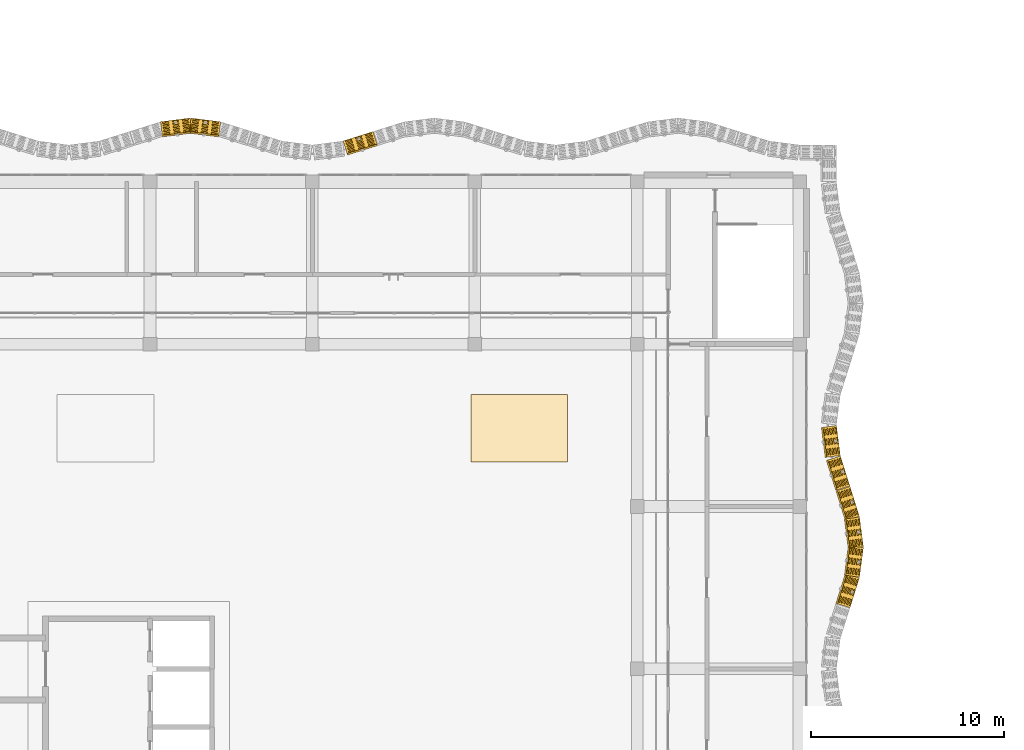
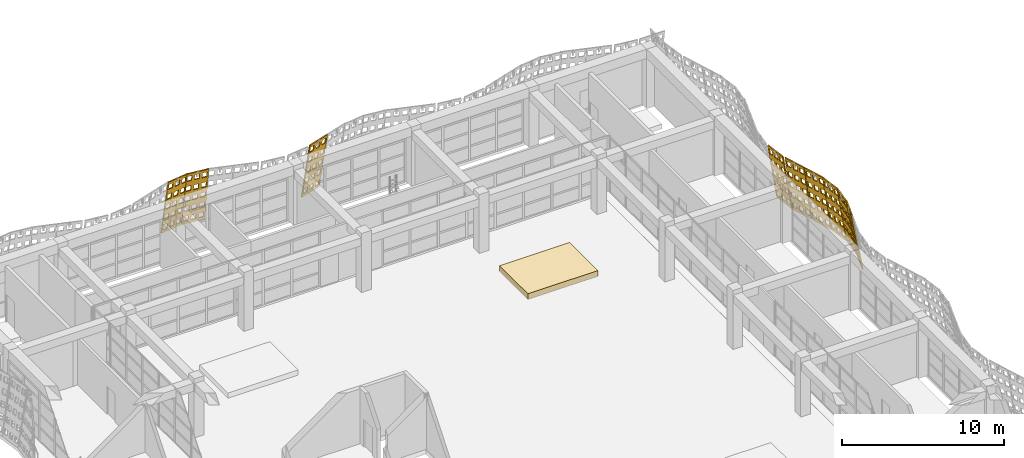
# One storey, part 82 of 85: 10 coverings.
"""IFC4 building model written with IfcOpenShell, lengths in metres."""

import ifcopenshell
import ifcopenshell.guid

model = None  # the IFC model being written
_history = None  # IfcOwnerHistory: only IFC2X3 demands one
_inside = {}  # id of a spatial element -> (the spatial element, [elements in it])
_under = {}  # id of a project, library or spatial element -> (it, [spatial elements below it])
_declared = {}  # id of a project -> (the project, [libraries it declares])
_typed = {}  # id of a type object -> (the type object, [elements of that type])
_made_of = {}  # id of a material, layer set ... -> (it, [elements and type objects made of it])


def new_model(schema):
    """Start an empty IFC model of exactly this schema.

    Asked for "IFC4X3", IfcOpenShell would pick the latest addendum, in which some entities
    have other attributes; the version numbers below select the first issue.
    IFC2X3 requires an IfcOwnerHistory on every rooted entity: one is made here for all.
    """
    global model, _history
    if schema == "IFC4X3":
        model = ifcopenshell.file(schema_version=(4, 3, 0, 0))
    else:
        model = ifcopenshell.file(schema=schema)
    _inside.clear()
    _under.clear()
    _declared.clear()
    _typed.clear()
    _made_of.clear()
    _history = None
    if model.schema == "IFC2X3":
        org = make("IfcOrganization", Name="unknown")
        user = make(
            "IfcPersonAndOrganization",
            ThePerson=make("IfcPerson", FamilyName="unknown"),
            TheOrganization=org,
        )
        app = make(
            "IfcApplication",
            ApplicationDeveloper=org,
            Version="unknown",
            ApplicationFullName="unknown",
            ApplicationIdentifier="unknown",
        )
        _history = make(
            "IfcOwnerHistory",
            OwningUser=user,
            OwningApplication=app,
            ChangeAction="ADDED",
            CreationDate=0,
        )
    return model


def make(cls, **values):
    """One entity of the class cls with the attributes given. An attribute that is None is left unset."""
    return model.create_entity(
        cls, **{name: value for name, value in values.items() if value is not None}
    )


def rooted(cls, **values):
    """An entity with a GlobalId (a new one), such as an element, a storey or a relation."""
    return make(cls, GlobalId=ifcopenshell.guid.new(), OwnerHistory=_history, **values)


def si_unit(unit_type, name, prefix=None):
    """IfcSIUnit, for example si_unit("LENGTHUNIT", "METRE", prefix="MILLI")."""
    return make("IfcSIUnit", UnitType=unit_type, Prefix=prefix, Name=name)


def assignment(units):
    """IfcUnitAssignment: the units of a project."""
    return None if units is None else make("IfcUnitAssignment", Units=units)


def point(xyz):
    """IfcCartesianPoint."""
    return None if xyz is None else make("IfcCartesianPoint", Coordinates=xyz)


def direction(xyz):
    """IfcDirection."""
    return None if xyz is None else make("IfcDirection", DirectionRatios=xyz)


def frame(location, z_axis=None, x_axis=None):
    """IfcAxis2Placement3D, a coordinate frame: its origin and axes. An axis left out is left unset."""
    return make(
        "IfcAxis2Placement3D",
        Location=point(location),
        Axis=direction(z_axis),
        RefDirection=direction(x_axis),
    )


def origin():
    """The frame at (0, 0, 0) with its axes left unset."""
    return frame((0.0, 0.0, 0.0))


def place(relative_to, where):
    """IfcLocalPlacement: puts the frame where relative to a parent placement (None: the world)."""
    return make(
        "IfcLocalPlacement", PlacementRelTo=relative_to, RelativePlacement=where
    )


def context(
    kind, dimensions, precision=None, world=None, true_north=None, identifier=None
):
    """IfcGeometricRepresentationContext, for example the 3D "Model" context."""
    return make(
        "IfcGeometricRepresentationContext",
        ContextIdentifier=identifier,
        ContextType=kind,
        CoordinateSpaceDimension=dimensions,
        Precision=precision,
        WorldCoordinateSystem=world,
        TrueNorth=true_north,
    )


def subcontext(parent, identifier, kind, view, scale=None):
    """IfcGeometricRepresentationSubContext, for example "Body" below "Model"."""
    return make(
        "IfcGeometricRepresentationSubContext",
        ContextIdentifier=identifier,
        ContextType=kind,
        ParentContext=parent,
        TargetScale=scale,
        TargetView=view,
    )


def project(units=None, contexts=None):
    """IfcProject with its units and contexts."""
    return rooted(
        "IfcProject",
        Name="project",
        RepresentationContexts=contexts,
        UnitsInContext=assignment(units),
    )


def spatial(cls, under=None, at=None, **own):
    """A site, building, storey or space (cls), placed at a placement, below another one or the project."""
    s = rooted(cls, ObjectPlacement=at, **own)
    if under is not None:
        _under.setdefault(under.id(), (under, []))[1].append(s)
    return s


def polyline(points):
    """IfcPolyline through the points."""
    return make("IfcPolyline", Points=[point(p) for p in points])


def outline(outer, holes=None, kind="AREA"):
    """IfcArbitraryClosedProfileDef: a profile drawn as a closed curve; with holes, ...WithVoids."""
    if holes is None:
        return make("IfcArbitraryClosedProfileDef", ProfileType=kind, OuterCurve=outer)
    return make(
        "IfcArbitraryProfileDefWithVoids",
        ProfileType=kind,
        OuterCurve=outer,
        InnerCurves=holes,
    )


def extrude(swept, where, along, depth):
    """IfcExtrudedAreaSolid: the profile swept, set in the frame where, extruded along a direction by depth."""
    return make(
        "IfcExtrudedAreaSolid",
        SweptArea=swept,
        Position=where,
        ExtrudedDirection=direction(along),
        Depth=depth,
    )


def shape(context_of_items, identifier, shape_type, items):
    """IfcShapeRepresentation: the items that make up one representation, for example the "Body"."""
    return make(
        "IfcShapeRepresentation",
        ContextOfItems=context_of_items,
        RepresentationIdentifier=identifier,
        RepresentationType=shape_type,
        Items=items,
    )


def material(Name=None, Category=None):
    """IfcMaterial."""
    return make("IfcMaterial", Name=Name, Category=Category)


def layer(
    of_material, thickness, ventilated=None, Name=None, Category=None, Priority=None
):
    """IfcMaterialLayer: one layer of a wall or slab, of a material (None: an air gap)."""
    return make(
        "IfcMaterialLayer",
        Material=of_material,
        LayerThickness=thickness,
        IsVentilated=ventilated,
        Name=Name,
        Category=Category,
        Priority=Priority,
    )


def layer_set(layers, Name=None):
    """IfcMaterialLayerSet."""
    return make("IfcMaterialLayerSet", MaterialLayers=layers, LayerSetName=Name)


def made_of(thing, what):
    """Note that an element or type object is made of a material, layer set ...; save() writes the relation."""
    if what is not None:
        _made_of.setdefault(what.id(), (what, []))[1].append(thing)
    return thing


def type_object(cls, material=None, **own):
    """A type object (cls), such as IfcWallType, which elements share."""
    return made_of(rooted(cls, **own), material)


def element(
    cls,
    number,
    at=None,
    inside=None,
    cuts=None,
    type_object=None,
    material=None,
    context=None,
    identifier="Body",
    shape_type=None,
    held_by="IfcProductDefinitionShape",
    body=None,
    shapes=None,
    **own,
):
    """One element of the class cls, such as IfcWall. Its Tag is "e" and its number.

    at: its placement. inside: the storey or other place that contains it. cuts: it is an
    opening in that element (IfcRelVoidsElement). A single representation is given by context,
    identifier, shape_type and body (its items); several are given by shapes. held_by: the class
    of the entity that holds the representations. save() writes the other relations.
    """
    e = rooted(cls, Tag="e%d" % number, ObjectPlacement=at, **own)
    if body is not None:
        shapes = [shape(context, identifier, shape_type, body)]
    if shapes is not None:
        e.Representation = make(held_by, Representations=shapes)
    if inside is not None:
        _inside.setdefault(inside.id(), (inside, []))[1].append(e)
    if cuts is not None:
        rooted(
            "IfcRelVoidsElement", RelatingBuildingElement=cuts, RelatedOpeningElement=e
        )
    if type_object is not None:
        _typed.setdefault(type_object.id(), (type_object, []))[1].append(e)
    return made_of(e, material)


def aggregate(whole, parts):
    """IfcRelAggregates: a whole, such as a stair, and the parts it consists of."""
    return rooted("IfcRelAggregates", RelatingObject=whole, RelatedObjects=parts)


def save(model, path):
    """Write the relations noted so far, then the file.

    IfcRelAggregates (storeys below a building ...), IfcRelContainedInSpatialStructure (elements
    in a storey), IfcRelDefinesByType, IfcRelAssociatesMaterial and IfcRelDeclares: one each for
    every whole, place, type object, material and project.
    """
    for whole, parts in _under.values():
        aggregate(whole, parts)
    for where, things in _inside.values():
        rooted(
            "IfcRelContainedInSpatialStructure",
            RelatedElements=things,
            RelatingStructure=where,
        )
    for kind, things in _typed.values():
        rooted("IfcRelDefinesByType", RelatedObjects=things, RelatingType=kind)
    for what, things in _made_of.values():
        rooted("IfcRelAssociatesMaterial", RelatedObjects=things, RelatingMaterial=what)
    for by, libraries in _declared.values():
        rooted("IfcRelDeclares", RelatingContext=by, RelatedDefinitions=libraries)
    model.write(path)


model = new_model("IFC4")

# Units and contexts
model_context = context("Model", 3, precision=1e-05, world=origin(), true_north=direction((0.0, 1.0)))
body_context = subcontext(model_context, "Body", "Model", "MODEL_VIEW")
ifc_project = project(units=[si_unit("LENGTHUNIT", "METRE"), si_unit("AREAUNIT", "SQUARE_METRE"), si_unit("VOLUMEUNIT", "CUBIC_METRE"), si_unit("PLANEANGLEUNIT", "RADIAN"), si_unit("MASSUNIT", "GRAM", prefix="KILO")], contexts=[model_context])

# Site, building, storey
site_placement = place(None, origin())
site = spatial("IfcSite", under=ifc_project, at=site_placement, CompositionType="ELEMENT")
building_placement = place(site_placement, origin())
building = spatial("IfcBuilding", under=site, at=building_placement, Name="Rain Tree Exposition and Congress Centre", CompositionType="ELEMENT")
storey_placement = place(building_placement, frame((0.0, 0.0, 15.0)))
storey = spatial("IfcBuildingStorey", under=building, at=storey_placement, Name="L03", CompositionType="ELEMENT", Elevation=15.0)

# Coverings
ifc_material_1 = material(Name="Perforated terracotta", Category="masonry")
ifc_layer_1 = layer(ifc_material_1, 0.080078125)
ifc_layer_set_1 = layer_set([ifc_layer_1], Name="Perforated terracotta")
covering_type_1 = type_object("IfcCoveringType", Name="Terracotta screen 80", PredefinedType="CLADDING", material=ifc_layer_set_1)
covering_1_placement = place(storey_placement, frame((52.998291015625, 28.3505859375, 0.0126953125), z_axis=(-0.941684688936, 0.296569528658, -0.158985726703), x_axis=(-0.300390227601, -0.953816392794, 0.0)))
element("IfcCovering", 1, at=covering_1_placement, inside=storey, type_object=covering_type_1, Name="wing/screen/L03/053", PredefinedType="CLADDING", context=body_context, shape_type="SweptSolid", body=[
    extrude(outline(polyline([(-1.62890625, 0.0), (-1.62890625, 4.291259765625), (-0.014892578125, 4.291259765625), (-0.014892578125, 0.0), (-1.62890625, 0.0)]), holes=[polyline([(-0.1171875, 0.221435546875), (-0.1171875, 0.63671875), (-0.45068359375, 0.63671875), (-0.45068359375, 0.221435546875), (-0.1171875, 0.221435546875)]), polyline([(-0.1171875, 1.07958984375), (-0.1171875, 1.4951171875), (-0.45068359375, 1.4951171875), (-0.45068359375, 1.07958984375), (-0.1171875, 1.07958984375)]), polyline([(-0.1171875, 1.93798828125), (-0.1171875, 2.353271484375), (-0.45068359375, 2.353271484375), (-0.45068359375, 1.93798828125), (-0.1171875, 1.93798828125)]), polyline([(-0.1171875, 2.796142578125), (-0.1171875, 3.21142578125), (-0.45068359375, 3.21142578125), (-0.45068359375, 2.796142578125), (-0.1171875, 2.796142578125)]), polyline([(-0.1171875, 3.654541015625), (-0.1171875, 4.06982421875), (-0.45068359375, 4.06982421875), (-0.45068359375, 3.654541015625), (-0.1171875, 3.654541015625)]), polyline([(-0.6552734375, 0.221435546875), (-0.6552734375, 0.63671875), (-0.98876953125, 0.63671875), (-0.98876953125, 0.221435546875), (-0.6552734375, 0.221435546875)]), polyline([(-0.6552734375, 1.07958984375), (-0.6552734375, 1.4951171875), (-0.98876953125, 1.4951171875), (-0.98876953125, 1.07958984375), (-0.6552734375, 1.07958984375)]), polyline([(-0.6552734375, 1.93798828125), (-0.6552734375, 2.353271484375), (-0.98876953125, 2.353271484375), (-0.98876953125, 1.93798828125), (-0.6552734375, 1.93798828125)]), polyline([(-0.6552734375, 2.796142578125), (-0.6552734375, 3.21142578125), (-0.98876953125, 3.21142578125), (-0.98876953125, 2.796142578125), (-0.6552734375, 2.796142578125)]), polyline([(-0.6552734375, 3.654541015625), (-0.6552734375, 4.06982421875), (-0.98876953125, 4.06982421875), (-0.98876953125, 3.654541015625), (-0.6552734375, 3.654541015625)]), polyline([(-1.193115234375, 0.221435546875), (-1.193115234375, 0.63671875), (-1.526611328125, 0.63671875), (-1.526611328125, 0.221435546875), (-1.193115234375, 0.221435546875)]), polyline([(-1.193115234375, 1.07958984375), (-1.193115234375, 1.4951171875), (-1.526611328125, 1.4951171875), (-1.526611328125, 1.07958984375), (-1.193115234375, 1.07958984375)]), polyline([(-1.193115234375, 1.93798828125), (-1.193115234375, 2.353271484375), (-1.526611328125, 2.353271484375), (-1.526611328125, 1.93798828125), (-1.193115234375, 1.93798828125)]), polyline([(-1.193115234375, 2.796142578125), (-1.193115234375, 3.21142578125), (-1.526611328125, 3.21142578125), (-1.526611328125, 2.796142578125), (-1.193115234375, 2.796142578125)]), polyline([(-1.193115234375, 3.654541015625), (-1.193115234375, 4.06982421875), (-1.526611328125, 4.06982421875), (-1.526611328125, 3.654541015625), (-1.193115234375, 3.654541015625)])]), origin(), (0.0, 0.0, 1.0), 0.079833984375),
])
covering_2_placement = place(storey_placement, frame((53.4931640625, 29.92529296875, 0.01318359375), z_axis=(-0.978036007662, 0.127967328105, -0.16452942185), x_axis=(-0.129735338481, -0.991548658387, 0.0)))
element("IfcCovering", 2, at=covering_2_placement, inside=storey, type_object=covering_type_1, Name="wing/screen/L03/054", PredefinedType="CLADDING", context=body_context, shape_type="SweptSolid", body=[
    extrude(outline(polyline([(-1.56298828125, 0.0), (-1.56298828125, 4.295166015625), (-0.02197265625, 4.295166015625), (-0.02197265625, 0.0), (-1.56298828125, 0.0)]), holes=[polyline([(-0.11962890625, 0.2216796875), (-0.11962890625, 0.63720703125), (-0.43798828125, 0.63720703125), (-0.43798828125, 0.2216796875), (-0.11962890625, 0.2216796875)]), polyline([(-0.11962890625, 1.080810546875), (-0.11962890625, 1.496337890625), (-0.43798828125, 1.496337890625), (-0.43798828125, 1.080810546875), (-0.11962890625, 1.080810546875)]), polyline([(-0.11962890625, 1.939697265625), (-0.11962890625, 2.35546875), (-0.43798828125, 2.35546875), (-0.43798828125, 1.939697265625), (-0.11962890625, 1.939697265625)]), polyline([(-0.11962890625, 2.798583984375), (-0.11962890625, 3.21435546875), (-0.43798828125, 3.21435546875), (-0.43798828125, 2.798583984375), (-0.11962890625, 2.798583984375)]), polyline([(-0.11962890625, 3.65771484375), (-0.11962890625, 4.073486328125), (-0.43798828125, 4.073486328125), (-0.43798828125, 3.65771484375), (-0.11962890625, 3.65771484375)]), polyline([(-0.63330078125, 0.2216796875), (-0.63330078125, 0.63720703125), (-0.95166015625, 0.63720703125), (-0.95166015625, 0.2216796875), (-0.63330078125, 0.2216796875)]), polyline([(-0.63330078125, 1.080810546875), (-0.63330078125, 1.496337890625), (-0.95166015625, 1.496337890625), (-0.95166015625, 1.080810546875), (-0.63330078125, 1.080810546875)]), polyline([(-0.63330078125, 1.939697265625), (-0.63330078125, 2.35546875), (-0.95166015625, 2.35546875), (-0.95166015625, 1.939697265625), (-0.63330078125, 1.939697265625)]), polyline([(-0.63330078125, 2.798583984375), (-0.63330078125, 3.21435546875), (-0.95166015625, 3.21435546875), (-0.95166015625, 2.798583984375), (-0.63330078125, 2.798583984375)]), polyline([(-0.63330078125, 3.65771484375), (-0.63330078125, 4.073486328125), (-0.95166015625, 4.073486328125), (-0.95166015625, 3.65771484375), (-0.63330078125, 3.65771484375)]), polyline([(-1.146728515625, 0.2216796875), (-1.146728515625, 0.63720703125), (-1.46533203125, 0.63720703125), (-1.46533203125, 0.2216796875), (-1.146728515625, 0.2216796875)]), polyline([(-1.146728515625, 1.080810546875), (-1.146728515625, 1.496337890625), (-1.46533203125, 1.496337890625), (-1.46533203125, 1.080810546875), (-1.146728515625, 1.080810546875)]), polyline([(-1.146728515625, 1.939697265625), (-1.146728515625, 2.35546875), (-1.46533203125, 2.35546875), (-1.46533203125, 1.939697265625), (-1.146728515625, 1.939697265625)]), polyline([(-1.146728515625, 2.798583984375), (-1.146728515625, 3.21435546875), (-1.46533203125, 3.21435546875), (-1.46533203125, 2.798583984375), (-1.146728515625, 2.798583984375)]), polyline([(-1.146728515625, 3.65771484375), (-1.146728515625, 4.073486328125), (-1.46533203125, 4.073486328125), (-1.46533203125, 3.65771484375), (-1.146728515625, 3.65771484375)])]), origin(), (0.0, 0.0, 1.0), 0.080078125),
])
covering_3_placement = place(storey_placement, frame((53.697998046875, 31.499755859375, 0.01318359375), z_axis=(-0.9779030419, -0.128349774249, -0.165021138321), x_axis=(0.130133906157, -0.991496427865, 0.0)))
element("IfcCovering", 3, at=covering_3_placement, inside=storey, type_object=covering_type_1, Name="wing/screen/L03/055", PredefinedType="CLADDING", context=body_context, shape_type="SweptSolid", body=[
    extrude(outline(polyline([(-1.56640625, 0.0), (-1.56640625, 4.295166015625), (-0.025390625, 4.295166015625), (-0.025390625, 0.0), (-1.56640625, 0.0)]), holes=[polyline([(-0.123046875, 0.2216796875), (-0.123046875, 0.63720703125), (-0.44140625, 0.63720703125), (-0.44140625, 0.2216796875), (-0.123046875, 0.2216796875)]), polyline([(-0.123046875, 1.080810546875), (-0.123046875, 1.496337890625), (-0.44140625, 1.496337890625), (-0.44140625, 1.080810546875), (-0.123046875, 1.080810546875)]), polyline([(-0.123046875, 1.939697265625), (-0.123046875, 2.35546875), (-0.44140625, 2.35546875), (-0.44140625, 1.939697265625), (-0.123046875, 1.939697265625)]), polyline([(-0.123046875, 2.798583984375), (-0.123046875, 3.21435546875), (-0.44140625, 3.21435546875), (-0.44140625, 2.798583984375), (-0.123046875, 2.798583984375)]), polyline([(-0.123046875, 3.65771484375), (-0.123046875, 4.073486328125), (-0.44140625, 4.073486328125), (-0.44140625, 3.65771484375), (-0.123046875, 3.65771484375)]), polyline([(-0.63671875, 0.2216796875), (-0.63671875, 0.63720703125), (-0.955078125, 0.63720703125), (-0.955078125, 0.2216796875), (-0.63671875, 0.2216796875)]), polyline([(-0.63671875, 1.080810546875), (-0.63671875, 1.496337890625), (-0.955078125, 1.496337890625), (-0.955078125, 1.080810546875), (-0.63671875, 1.080810546875)]), polyline([(-0.63671875, 1.939697265625), (-0.63671875, 2.35546875), (-0.955078125, 2.35546875), (-0.955078125, 1.939697265625), (-0.63671875, 1.939697265625)]), polyline([(-0.63671875, 2.798583984375), (-0.63671875, 3.21435546875), (-0.955078125, 3.21435546875), (-0.955078125, 2.798583984375), (-0.63671875, 2.798583984375)]), polyline([(-0.63671875, 3.65771484375), (-0.63671875, 4.073486328125), (-0.955078125, 4.073486328125), (-0.955078125, 3.65771484375), (-0.63671875, 3.65771484375)]), polyline([(-1.150146484375, 0.2216796875), (-1.150146484375, 0.63720703125), (-1.46875, 0.63720703125), (-1.46875, 0.2216796875), (-1.150146484375, 0.2216796875)]), polyline([(-1.150146484375, 1.080810546875), (-1.150146484375, 1.496337890625), (-1.46875, 1.496337890625), (-1.46875, 1.080810546875), (-1.150146484375, 1.080810546875)]), polyline([(-1.150146484375, 1.939697265625), (-1.150146484375, 2.35546875), (-1.46875, 2.35546875), (-1.46875, 1.939697265625), (-1.150146484375, 1.939697265625)]), polyline([(-1.150146484375, 2.798583984375), (-1.150146484375, 3.21435546875), (-1.46875, 3.21435546875), (-1.46875, 2.798583984375), (-1.150146484375, 2.798583984375)]), polyline([(-1.150146484375, 3.65771484375), (-1.150146484375, 4.073486328125), (-1.46875, 4.073486328125), (-1.46875, 3.65771484375), (-1.150146484375, 3.65771484375)])]), origin(), (0.0, 0.0, 1.0), 0.079833984375),
])
covering_4_placement = place(storey_placement, frame((53.493408203125, 33.074462890625, 0.0126953125), z_axis=(-0.942029390639, -0.295717964052, -0.158529217842), x_axis=(0.29950542383, -0.954094597562, 0.0)))
element("IfcCovering", 4, at=covering_4_placement, inside=storey, type_object=covering_type_1, Name="wing/screen/L03/056", PredefinedType="CLADDING", context=body_context, shape_type="SweptSolid", body=[
    extrude(outline(polyline([(-1.635986328125, 0.0), (-1.635986328125, 4.291259765625), (-0.02197265625, 4.291259765625), (-0.02197265625, 0.0), (-1.635986328125, 0.0)]), holes=[polyline([(-0.124267578125, 0.221435546875), (-0.124267578125, 0.63671875), (-0.457763671875, 0.63671875), (-0.457763671875, 0.221435546875), (-0.124267578125, 0.221435546875)]), polyline([(-0.124267578125, 1.07958984375), (-0.124267578125, 1.4951171875), (-0.457763671875, 1.4951171875), (-0.457763671875, 1.07958984375), (-0.124267578125, 1.07958984375)]), polyline([(-0.124267578125, 1.93798828125), (-0.124267578125, 2.353271484375), (-0.457763671875, 2.353271484375), (-0.457763671875, 1.93798828125), (-0.124267578125, 1.93798828125)]), polyline([(-0.124267578125, 2.796142578125), (-0.124267578125, 3.21142578125), (-0.457763671875, 3.21142578125), (-0.457763671875, 2.796142578125), (-0.124267578125, 2.796142578125)]), polyline([(-0.124267578125, 3.654541015625), (-0.124267578125, 4.06982421875), (-0.457763671875, 4.06982421875), (-0.457763671875, 3.654541015625), (-0.124267578125, 3.654541015625)]), polyline([(-0.662109375, 0.221435546875), (-0.662109375, 0.63671875), (-0.995849609375, 0.63671875), (-0.995849609375, 0.221435546875), (-0.662109375, 0.221435546875)]), polyline([(-0.662109375, 1.07958984375), (-0.662109375, 1.4951171875), (-0.995849609375, 1.4951171875), (-0.995849609375, 1.07958984375), (-0.662109375, 1.07958984375)]), polyline([(-0.662109375, 1.93798828125), (-0.662109375, 2.353271484375), (-0.995849609375, 2.353271484375), (-0.995849609375, 1.93798828125), (-0.662109375, 1.93798828125)]), polyline([(-0.662109375, 2.796142578125), (-0.662109375, 3.21142578125), (-0.995849609375, 3.21142578125), (-0.995849609375, 2.796142578125), (-0.662109375, 2.796142578125)]), polyline([(-0.662109375, 3.654541015625), (-0.662109375, 4.06982421875), (-0.995849609375, 4.06982421875), (-0.995849609375, 3.654541015625), (-0.662109375, 3.654541015625)]), polyline([(-1.2001953125, 0.221435546875), (-1.2001953125, 0.63671875), (-1.53369140625, 0.63671875), (-1.53369140625, 0.221435546875), (-1.2001953125, 0.221435546875)]), polyline([(-1.2001953125, 1.07958984375), (-1.2001953125, 1.4951171875), (-1.53369140625, 1.4951171875), (-1.53369140625, 1.07958984375), (-1.2001953125, 1.07958984375)]), polyline([(-1.2001953125, 1.93798828125), (-1.2001953125, 2.353271484375), (-1.53369140625, 2.353271484375), (-1.53369140625, 1.93798828125), (-1.2001953125, 1.93798828125)]), polyline([(-1.2001953125, 2.796142578125), (-1.2001953125, 3.21142578125), (-1.53369140625, 3.21142578125), (-1.53369140625, 2.796142578125), (-1.2001953125, 2.796142578125)]), polyline([(-1.2001953125, 3.654541015625), (-1.2001953125, 4.06982421875), (-1.53369140625, 4.06982421875), (-1.53369140625, 3.654541015625), (-1.2001953125, 3.654541015625)])]), origin(), (0.0, 0.0, 1.0), 0.080078125),
])
covering_5_placement = place(storey_placement, frame((52.998291015625, 34.6494140625, 0.0126953125), z_axis=(-0.941684688936, -0.296569528658, -0.158985726703), x_axis=(0.300390227601, -0.953816392794, 0.0)))
element("IfcCovering", 5, at=covering_5_placement, inside=storey, type_object=covering_type_1, Name="wing/screen/L03/057", PredefinedType="CLADDING", context=body_context, shape_type="SweptSolid", body=[
    extrude(outline(polyline([(-1.635986328125, 0.0), (-1.635986328125, 4.291259765625), (-0.014892578125, 4.291259765625), (-0.014892578125, 0.0), (-1.635986328125, 0.0)]), holes=[polyline([(-0.11767578125, 0.221435546875), (-0.11767578125, 0.63671875), (-0.45263671875, 0.63671875), (-0.45263671875, 0.221435546875), (-0.11767578125, 0.221435546875)]), polyline([(-0.11767578125, 1.07958984375), (-0.11767578125, 1.4951171875), (-0.45263671875, 1.4951171875), (-0.45263671875, 1.07958984375), (-0.11767578125, 1.07958984375)]), polyline([(-0.11767578125, 1.93798828125), (-0.11767578125, 2.353271484375), (-0.45263671875, 2.353271484375), (-0.45263671875, 1.93798828125), (-0.11767578125, 1.93798828125)]), polyline([(-0.11767578125, 2.796142578125), (-0.11767578125, 3.21142578125), (-0.45263671875, 3.21142578125), (-0.45263671875, 2.796142578125), (-0.11767578125, 2.796142578125)]), polyline([(-0.11767578125, 3.654541015625), (-0.11767578125, 4.06982421875), (-0.45263671875, 4.06982421875), (-0.45263671875, 3.654541015625), (-0.11767578125, 3.654541015625)]), polyline([(-0.657958984375, 0.221435546875), (-0.657958984375, 0.63671875), (-0.992919921875, 0.63671875), (-0.992919921875, 0.221435546875), (-0.657958984375, 0.221435546875)]), polyline([(-0.657958984375, 1.07958984375), (-0.657958984375, 1.4951171875), (-0.992919921875, 1.4951171875), (-0.992919921875, 1.07958984375), (-0.657958984375, 1.07958984375)]), polyline([(-0.657958984375, 1.93798828125), (-0.657958984375, 2.353271484375), (-0.992919921875, 2.353271484375), (-0.992919921875, 1.93798828125), (-0.657958984375, 1.93798828125)]), polyline([(-0.657958984375, 2.796142578125), (-0.657958984375, 3.21142578125), (-0.992919921875, 3.21142578125), (-0.992919921875, 2.796142578125), (-0.657958984375, 2.796142578125)]), polyline([(-0.657958984375, 3.654541015625), (-0.657958984375, 4.06982421875), (-0.992919921875, 4.06982421875), (-0.992919921875, 3.654541015625), (-0.657958984375, 3.654541015625)]), polyline([(-1.1982421875, 0.221435546875), (-1.1982421875, 0.63671875), (-1.533203125, 0.63671875), (-1.533203125, 0.221435546875), (-1.1982421875, 0.221435546875)]), polyline([(-1.1982421875, 1.07958984375), (-1.1982421875, 1.4951171875), (-1.533203125, 1.4951171875), (-1.533203125, 1.07958984375), (-1.1982421875, 1.07958984375)]), polyline([(-1.1982421875, 1.93798828125), (-1.1982421875, 2.353271484375), (-1.533203125, 2.353271484375), (-1.533203125, 1.93798828125), (-1.1982421875, 1.93798828125)]), polyline([(-1.1982421875, 2.796142578125), (-1.1982421875, 3.21142578125), (-1.533203125, 3.21142578125), (-1.533203125, 2.796142578125), (-1.1982421875, 2.796142578125)]), polyline([(-1.1982421875, 3.654541015625), (-1.1982421875, 4.06982421875), (-1.533203125, 4.06982421875), (-1.533203125, 3.654541015625), (-1.1982421875, 3.654541015625)])]), origin(), (0.0, 0.0, 1.0), 0.079833984375),
])
covering_6_placement = place(storey_placement, frame((52.503173828125, 36.224609375, 0.01318359375), z_axis=(-0.978413018317, -0.124968640969, -0.164592844203), x_axis=(0.126696580272, -0.991941518713, 0.0)))
element("IfcCovering", 6, at=covering_6_placement, inside=storey, type_object=covering_type_1, Name="wing/screen/L03/058", PredefinedType="CLADDING", context=body_context, shape_type="SweptSolid", body=[
    extrude(outline(polyline([(-1.5732421875, 0.0), (-1.5732421875, 4.295166015625), (-0.014892578125, 4.295166015625), (-0.014892578125, 0.0), (-1.5732421875, 0.0)]), holes=[polyline([(-0.11376953125, 0.2216796875), (-0.11376953125, 0.63720703125), (-0.435791015625, 0.63720703125), (-0.435791015625, 0.2216796875), (-0.11376953125, 0.2216796875)]), polyline([(-0.11376953125, 1.080810546875), (-0.11376953125, 1.496337890625), (-0.435791015625, 1.496337890625), (-0.435791015625, 1.080810546875), (-0.11376953125, 1.080810546875)]), polyline([(-0.11376953125, 1.939697265625), (-0.11376953125, 2.35546875), (-0.435791015625, 2.35546875), (-0.435791015625, 1.939697265625), (-0.11376953125, 1.939697265625)]), polyline([(-0.11376953125, 2.798583984375), (-0.11376953125, 3.21435546875), (-0.435791015625, 3.21435546875), (-0.435791015625, 2.798583984375), (-0.11376953125, 2.798583984375)]), polyline([(-0.11376953125, 3.65771484375), (-0.11376953125, 4.073486328125), (-0.435791015625, 4.073486328125), (-0.435791015625, 3.65771484375), (-0.11376953125, 3.65771484375)]), polyline([(-0.633056640625, 0.2216796875), (-0.633056640625, 0.63720703125), (-0.955078125, 0.63720703125), (-0.955078125, 0.2216796875), (-0.633056640625, 0.2216796875)]), polyline([(-0.633056640625, 1.080810546875), (-0.633056640625, 1.496337890625), (-0.955078125, 1.496337890625), (-0.955078125, 1.080810546875), (-0.633056640625, 1.080810546875)]), polyline([(-0.633056640625, 1.939697265625), (-0.633056640625, 2.35546875), (-0.955078125, 2.35546875), (-0.955078125, 1.939697265625), (-0.633056640625, 1.939697265625)]), polyline([(-0.633056640625, 2.798583984375), (-0.633056640625, 3.21435546875), (-0.955078125, 3.21435546875), (-0.955078125, 2.798583984375), (-0.633056640625, 2.798583984375)]), polyline([(-0.633056640625, 3.65771484375), (-0.633056640625, 4.073486328125), (-0.955078125, 4.073486328125), (-0.955078125, 3.65771484375), (-0.633056640625, 3.65771484375)]), polyline([(-1.152587890625, 0.2216796875), (-1.152587890625, 0.63720703125), (-1.474609375, 0.63720703125), (-1.474609375, 0.2216796875), (-1.152587890625, 0.2216796875)]), polyline([(-1.152587890625, 1.080810546875), (-1.152587890625, 1.496337890625), (-1.474609375, 1.496337890625), (-1.474609375, 1.080810546875), (-1.152587890625, 1.080810546875)]), polyline([(-1.152587890625, 1.939697265625), (-1.152587890625, 2.35546875), (-1.474609375, 2.35546875), (-1.474609375, 1.939697265625), (-1.152587890625, 1.939697265625)]), polyline([(-1.152587890625, 2.798583984375), (-1.152587890625, 3.21435546875), (-1.474609375, 3.21435546875), (-1.474609375, 2.798583984375), (-1.152587890625, 2.798583984375)]), polyline([(-1.152587890625, 3.65771484375), (-1.152587890625, 4.073486328125), (-1.474609375, 4.073486328125), (-1.474609375, 3.65771484375), (-1.152587890625, 3.65771484375)])]), origin(), (0.0, 0.0, 1.0), 0.080078125),
])
covering_7_placement = place(storey_placement, frame((28.3505859375, 52.998291015625, 0.0126953125), z_axis=(0.296569528658, -0.941684688936, -0.158985726703), x_axis=(0.953816392794, 0.300390227601, 0.0)))
element("IfcCovering", 7, at=covering_7_placement, inside=storey, type_object=covering_type_1, Name="wing/screen/L03/083", PredefinedType="CLADDING", context=body_context, shape_type="SweptSolid", body=[
    extrude(outline(polyline([(-1.635986328125, 0.0), (-1.635986328125, 4.291259765625), (-0.014892578125, 4.291259765625), (-0.014892578125, 0.0), (-1.635986328125, 0.0)]), holes=[polyline([(-0.11767578125, 0.221435546875), (-0.11767578125, 0.63671875), (-0.45263671875, 0.63671875), (-0.45263671875, 0.221435546875), (-0.11767578125, 0.221435546875)]), polyline([(-0.11767578125, 1.07958984375), (-0.11767578125, 1.4951171875), (-0.45263671875, 1.4951171875), (-0.45263671875, 1.07958984375), (-0.11767578125, 1.07958984375)]), polyline([(-0.11767578125, 1.93798828125), (-0.11767578125, 2.353271484375), (-0.45263671875, 2.353271484375), (-0.45263671875, 1.93798828125), (-0.11767578125, 1.93798828125)]), polyline([(-0.11767578125, 2.796142578125), (-0.11767578125, 3.21142578125), (-0.45263671875, 3.21142578125), (-0.45263671875, 2.796142578125), (-0.11767578125, 2.796142578125)]), polyline([(-0.11767578125, 3.654541015625), (-0.11767578125, 4.06982421875), (-0.45263671875, 4.06982421875), (-0.45263671875, 3.654541015625), (-0.11767578125, 3.654541015625)]), polyline([(-0.657958984375, 0.221435546875), (-0.657958984375, 0.63671875), (-0.992919921875, 0.63671875), (-0.992919921875, 0.221435546875), (-0.657958984375, 0.221435546875)]), polyline([(-0.657958984375, 1.07958984375), (-0.657958984375, 1.4951171875), (-0.992919921875, 1.4951171875), (-0.992919921875, 1.07958984375), (-0.657958984375, 1.07958984375)]), polyline([(-0.657958984375, 1.93798828125), (-0.657958984375, 2.353271484375), (-0.992919921875, 2.353271484375), (-0.992919921875, 1.93798828125), (-0.657958984375, 1.93798828125)]), polyline([(-0.657958984375, 2.796142578125), (-0.657958984375, 3.21142578125), (-0.992919921875, 3.21142578125), (-0.992919921875, 2.796142578125), (-0.657958984375, 2.796142578125)]), polyline([(-0.657958984375, 3.654541015625), (-0.657958984375, 4.06982421875), (-0.992919921875, 4.06982421875), (-0.992919921875, 3.654541015625), (-0.657958984375, 3.654541015625)]), polyline([(-1.1982421875, 0.221435546875), (-1.1982421875, 0.63671875), (-1.533203125, 0.63671875), (-1.533203125, 0.221435546875), (-1.1982421875, 0.221435546875)]), polyline([(-1.1982421875, 1.07958984375), (-1.1982421875, 1.4951171875), (-1.533203125, 1.4951171875), (-1.533203125, 1.07958984375), (-1.1982421875, 1.07958984375)]), polyline([(-1.1982421875, 1.93798828125), (-1.1982421875, 2.353271484375), (-1.533203125, 2.353271484375), (-1.533203125, 1.93798828125), (-1.1982421875, 1.93798828125)]), polyline([(-1.1982421875, 2.796142578125), (-1.1982421875, 3.21142578125), (-1.533203125, 3.21142578125), (-1.533203125, 2.796142578125), (-1.1982421875, 2.796142578125)]), polyline([(-1.1982421875, 3.654541015625), (-1.1982421875, 4.06982421875), (-1.533203125, 4.06982421875), (-1.533203125, 3.654541015625), (-1.1982421875, 3.654541015625)])]), origin(), (0.0, 0.0, 1.0), 0.079833984375),
])
covering_8_placement = place(storey_placement, frame((20.474609375, 53.4931640625, 0.01318359375), z_axis=(-0.124968640969, -0.978413018317, -0.164592844203), x_axis=(0.991941518713, -0.126696580272, 0.0)))
element("IfcCovering", 8, at=covering_8_placement, inside=storey, type_object=covering_type_1, Name="wing/screen/L03/088", PredefinedType="CLADDING", context=body_context, shape_type="SweptSolid", body=[
    extrude(outline(polyline([(-1.56298828125, 0.0), (-1.56298828125, 4.295166015625), (-0.02197265625, 4.295166015625), (-0.02197265625, 0.0), (-1.56298828125, 0.0)]), holes=[polyline([(-0.11962890625, 0.2216796875), (-0.11962890625, 0.63720703125), (-0.43798828125, 0.63720703125), (-0.43798828125, 0.2216796875), (-0.11962890625, 0.2216796875)]), polyline([(-0.11962890625, 1.080810546875), (-0.11962890625, 1.496337890625), (-0.43798828125, 1.496337890625), (-0.43798828125, 1.080810546875), (-0.11962890625, 1.080810546875)]), polyline([(-0.11962890625, 1.939697265625), (-0.11962890625, 2.35546875), (-0.43798828125, 2.35546875), (-0.43798828125, 1.939697265625), (-0.11962890625, 1.939697265625)]), polyline([(-0.11962890625, 2.798583984375), (-0.11962890625, 3.21435546875), (-0.43798828125, 3.21435546875), (-0.43798828125, 2.798583984375), (-0.11962890625, 2.798583984375)]), polyline([(-0.11962890625, 3.65771484375), (-0.11962890625, 4.073486328125), (-0.43798828125, 4.073486328125), (-0.43798828125, 3.65771484375), (-0.11962890625, 3.65771484375)]), polyline([(-0.63330078125, 0.2216796875), (-0.63330078125, 0.63720703125), (-0.95166015625, 0.63720703125), (-0.95166015625, 0.2216796875), (-0.63330078125, 0.2216796875)]), polyline([(-0.63330078125, 1.080810546875), (-0.63330078125, 1.496337890625), (-0.95166015625, 1.496337890625), (-0.95166015625, 1.080810546875), (-0.63330078125, 1.080810546875)]), polyline([(-0.63330078125, 1.939697265625), (-0.63330078125, 2.35546875), (-0.95166015625, 2.35546875), (-0.95166015625, 1.939697265625), (-0.63330078125, 1.939697265625)]), polyline([(-0.63330078125, 2.798583984375), (-0.63330078125, 3.21435546875), (-0.95166015625, 3.21435546875), (-0.95166015625, 2.798583984375), (-0.63330078125, 2.798583984375)]), polyline([(-0.63330078125, 3.65771484375), (-0.63330078125, 4.073486328125), (-0.95166015625, 4.073486328125), (-0.95166015625, 3.65771484375), (-0.63330078125, 3.65771484375)]), polyline([(-1.146728515625, 0.2216796875), (-1.146728515625, 0.63720703125), (-1.46533203125, 0.63720703125), (-1.46533203125, 0.2216796875), (-1.146728515625, 0.2216796875)]), polyline([(-1.146728515625, 1.080810546875), (-1.146728515625, 1.496337890625), (-1.46533203125, 1.496337890625), (-1.46533203125, 1.080810546875), (-1.146728515625, 1.080810546875)]), polyline([(-1.146728515625, 1.939697265625), (-1.146728515625, 2.35546875), (-1.46533203125, 2.35546875), (-1.46533203125, 1.939697265625), (-1.146728515625, 1.939697265625)]), polyline([(-1.146728515625, 2.798583984375), (-1.146728515625, 3.21435546875), (-1.46533203125, 3.21435546875), (-1.46533203125, 2.798583984375), (-1.146728515625, 2.798583984375)]), polyline([(-1.146728515625, 3.65771484375), (-1.146728515625, 4.073486328125), (-1.46533203125, 4.073486328125), (-1.46533203125, 3.65771484375), (-1.146728515625, 3.65771484375)])]), origin(), (0.0, 0.0, 1.0), 0.080078125),
])
covering_9_placement = place(storey_placement, frame((18.900390625, 53.697998046875, 0.01318359375), z_axis=(0.125342414455, -0.978282259159, -0.165085131233), x_axis=(0.991891686382, 0.127086122318, 0.0)))
element("IfcCovering", 9, at=covering_9_placement, inside=storey, type_object=covering_type_1, Name="wing/screen/L03/089", PredefinedType="CLADDING", context=body_context, shape_type="SweptSolid", body=[
    extrude(outline(polyline([(-1.56640625, 0.0), (-1.56640625, 4.295166015625), (-0.025390625, 4.295166015625), (-0.025390625, 0.0), (-1.56640625, 0.0)]), holes=[polyline([(-0.123046875, 0.2216796875), (-0.123046875, 0.63720703125), (-0.44140625, 0.63720703125), (-0.44140625, 0.2216796875), (-0.123046875, 0.2216796875)]), polyline([(-0.123046875, 1.080810546875), (-0.123046875, 1.496337890625), (-0.44140625, 1.496337890625), (-0.44140625, 1.080810546875), (-0.123046875, 1.080810546875)]), polyline([(-0.123046875, 1.939697265625), (-0.123046875, 2.35546875), (-0.44140625, 2.35546875), (-0.44140625, 1.939697265625), (-0.123046875, 1.939697265625)]), polyline([(-0.123046875, 2.798583984375), (-0.123046875, 3.21435546875), (-0.44140625, 3.21435546875), (-0.44140625, 2.798583984375), (-0.123046875, 2.798583984375)]), polyline([(-0.123046875, 3.65771484375), (-0.123046875, 4.073486328125), (-0.44140625, 4.073486328125), (-0.44140625, 3.65771484375), (-0.123046875, 3.65771484375)]), polyline([(-0.63671875, 0.2216796875), (-0.63671875, 0.63720703125), (-0.955078125, 0.63720703125), (-0.955078125, 0.2216796875), (-0.63671875, 0.2216796875)]), polyline([(-0.63671875, 1.080810546875), (-0.63671875, 1.496337890625), (-0.955078125, 1.496337890625), (-0.955078125, 1.080810546875), (-0.63671875, 1.080810546875)]), polyline([(-0.63671875, 1.939697265625), (-0.63671875, 2.35546875), (-0.955078125, 2.35546875), (-0.955078125, 1.939697265625), (-0.63671875, 1.939697265625)]), polyline([(-0.63671875, 2.798583984375), (-0.63671875, 3.21435546875), (-0.955078125, 3.21435546875), (-0.955078125, 2.798583984375), (-0.63671875, 2.798583984375)]), polyline([(-0.63671875, 3.65771484375), (-0.63671875, 4.073486328125), (-0.955078125, 4.073486328125), (-0.955078125, 3.65771484375), (-0.63671875, 3.65771484375)]), polyline([(-1.150146484375, 0.2216796875), (-1.150146484375, 0.63720703125), (-1.46875, 0.63720703125), (-1.46875, 0.2216796875), (-1.150146484375, 0.2216796875)]), polyline([(-1.150146484375, 1.080810546875), (-1.150146484375, 1.496337890625), (-1.46875, 1.496337890625), (-1.46875, 1.080810546875), (-1.150146484375, 1.080810546875)]), polyline([(-1.150146484375, 1.939697265625), (-1.150146484375, 2.35546875), (-1.46875, 2.35546875), (-1.46875, 1.939697265625), (-1.150146484375, 1.939697265625)]), polyline([(-1.150146484375, 2.798583984375), (-1.150146484375, 3.21435546875), (-1.46875, 3.21435546875), (-1.46875, 2.798583984375), (-1.150146484375, 2.798583984375)]), polyline([(-1.150146484375, 3.65771484375), (-1.150146484375, 4.073486328125), (-1.46875, 4.073486328125), (-1.46875, 3.65771484375), (-1.150146484375, 3.65771484375)])]), origin(), (0.0, 0.0, 1.0), 0.079833984375),
])
ifc_material_2 = material(Name="Planting soil", Category="soil")
ifc_layer_2 = layer(ifc_material_2, 0.449951171875)
ifc_layer_set_2 = layer_set([ifc_layer_2], Name="Planting soil")
covering_type_2 = type_object("IfcCoveringType", Name="Wing court planting bed 450", PredefinedType="FLOORING", material=ifc_layer_set_2)
covering_10_placement = place(storey_placement, origin())
element("IfcCovering", 10, at=covering_10_placement, inside=storey, type_object=covering_type_2, Name="Planting bed 4", PredefinedType="FLOORING", context=body_context, shape_type="SweptSolid", body=[
    extrude(outline(polyline([(33.39990234375, 35.89990234375), (38.39990234375, 35.89990234375), (38.39990234375, 39.39990234375), (33.39990234375, 39.39990234375), (33.39990234375, 35.89990234375)])), origin(), (0.0, 0.0, 1.0), 0.449951171875),
])

save(model, "model.ifc")
